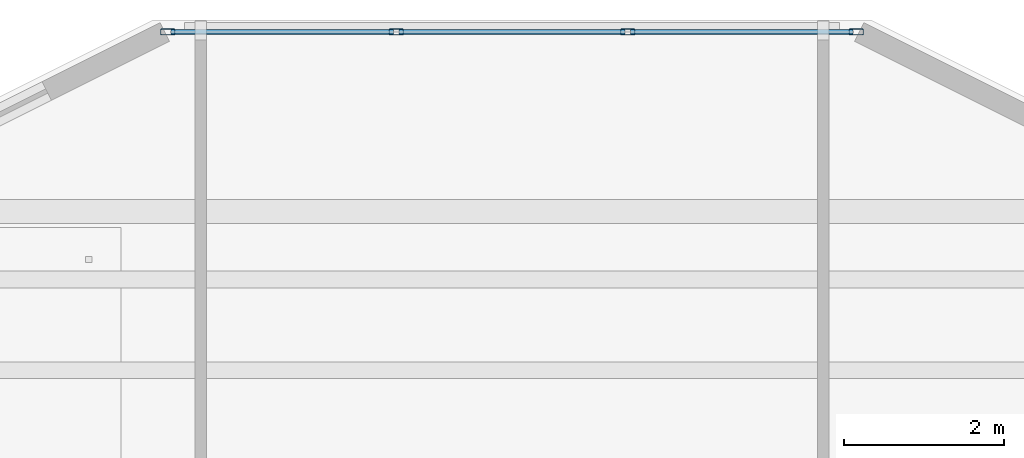
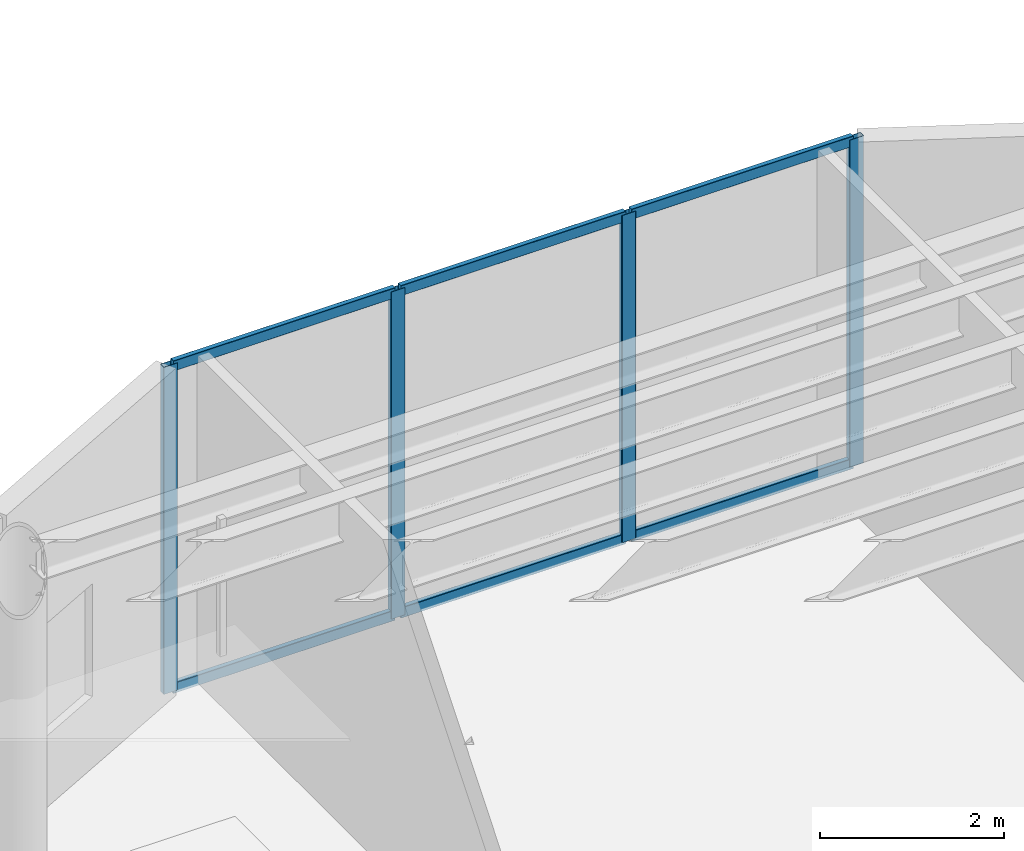
# One storey, part 8 of 23: 10 members, 1 element without a shape of its own.
"""IFC4 building model written with IfcOpenShell, lengths in metres."""

import ifcopenshell
import ifcopenshell.guid

model = None  # the IFC model being written
_history = None  # IfcOwnerHistory: only IFC2X3 demands one
_inside = {}  # id of a spatial element -> (the spatial element, [elements in it])
_under = {}  # id of a project, library or spatial element -> (it, [spatial elements below it])
_declared = {}  # id of a project -> (the project, [libraries it declares])
_typed = {}  # id of a type object -> (the type object, [elements of that type])
_made_of = {}  # id of a material, layer set ... -> (it, [elements and type objects made of it])


def new_model(schema):
    """Start an empty IFC model of exactly this schema.

    Asked for "IFC4X3", IfcOpenShell would pick the latest addendum, in which some entities
    have other attributes; the version numbers below select the first issue.
    IFC2X3 requires an IfcOwnerHistory on every rooted entity: one is made here for all.
    """
    global model, _history
    if schema == "IFC4X3":
        model = ifcopenshell.file(schema_version=(4, 3, 0, 0))
    else:
        model = ifcopenshell.file(schema=schema)
    _inside.clear()
    _under.clear()
    _declared.clear()
    _typed.clear()
    _made_of.clear()
    _history = None
    if model.schema == "IFC2X3":
        org = make("IfcOrganization", Name="unknown")
        user = make(
            "IfcPersonAndOrganization",
            ThePerson=make("IfcPerson", FamilyName="unknown"),
            TheOrganization=org,
        )
        app = make(
            "IfcApplication",
            ApplicationDeveloper=org,
            Version="unknown",
            ApplicationFullName="unknown",
            ApplicationIdentifier="unknown",
        )
        _history = make(
            "IfcOwnerHistory",
            OwningUser=user,
            OwningApplication=app,
            ChangeAction="ADDED",
            CreationDate=0,
        )
    return model


def make(cls, **values):
    """One entity of the class cls with the attributes given. An attribute that is None is left unset."""
    return model.create_entity(
        cls, **{name: value for name, value in values.items() if value is not None}
    )


def rooted(cls, **values):
    """An entity with a GlobalId (a new one), such as an element, a storey or a relation."""
    return make(cls, GlobalId=ifcopenshell.guid.new(), OwnerHistory=_history, **values)


def si_unit(unit_type, name, prefix=None):
    """IfcSIUnit, for example si_unit("LENGTHUNIT", "METRE", prefix="MILLI")."""
    return make("IfcSIUnit", UnitType=unit_type, Prefix=prefix, Name=name)


def assignment(units):
    """IfcUnitAssignment: the units of a project."""
    return None if units is None else make("IfcUnitAssignment", Units=units)


def point(xyz):
    """IfcCartesianPoint."""
    return None if xyz is None else make("IfcCartesianPoint", Coordinates=xyz)


def direction(xyz):
    """IfcDirection."""
    return None if xyz is None else make("IfcDirection", DirectionRatios=xyz)


def frame(location, z_axis=None, x_axis=None):
    """IfcAxis2Placement3D, a coordinate frame: its origin and axes. An axis left out is left unset."""
    return make(
        "IfcAxis2Placement3D",
        Location=point(location),
        Axis=direction(z_axis),
        RefDirection=direction(x_axis),
    )


def frame_2d(location, x_axis=None):
    """IfcAxis2Placement2D, a coordinate frame in the plane: its origin and x axis."""
    return make(
        "IfcAxis2Placement2D", Location=point(location), RefDirection=direction(x_axis)
    )


def origin():
    """The frame at (0, 0, 0) with its axes left unset."""
    return frame((0.0, 0.0, 0.0))


def origin_2d():
    """The frame at (0, 0) in the plane with its x axis left unset."""
    return frame_2d((0.0, 0.0))


def place(relative_to, where):
    """IfcLocalPlacement: puts the frame where relative to a parent placement (None: the world)."""
    return make(
        "IfcLocalPlacement", PlacementRelTo=relative_to, RelativePlacement=where
    )


def context(
    kind, dimensions, precision=None, world=None, true_north=None, identifier=None
):
    """IfcGeometricRepresentationContext, for example the 3D "Model" context."""
    return make(
        "IfcGeometricRepresentationContext",
        ContextIdentifier=identifier,
        ContextType=kind,
        CoordinateSpaceDimension=dimensions,
        Precision=precision,
        WorldCoordinateSystem=world,
        TrueNorth=true_north,
    )


def subcontext(parent, identifier, kind, view, scale=None):
    """IfcGeometricRepresentationSubContext, for example "Body" below "Model"."""
    return make(
        "IfcGeometricRepresentationSubContext",
        ContextIdentifier=identifier,
        ContextType=kind,
        ParentContext=parent,
        TargetScale=scale,
        TargetView=view,
    )


def project(units=None, contexts=None):
    """IfcProject with its units and contexts."""
    return rooted(
        "IfcProject",
        Name="project",
        RepresentationContexts=contexts,
        UnitsInContext=assignment(units),
    )


def spatial(cls, under=None, at=None, **own):
    """A site, building, storey or space (cls), placed at a placement, below another one or the project."""
    s = rooted(cls, ObjectPlacement=at, **own)
    if under is not None:
        _under.setdefault(under.id(), (under, []))[1].append(s)
    return s


def profile(cls, at=None, kind="AREA", **sizes):
    """A parametric profile (cls). Its sizes go by their IFC names, for example OverallWidth=200.0."""
    return make(cls, ProfileType=kind, Position=at, **sizes)


def hollow_rectangle(**sizes):
    """IfcRectangleHollowProfileDef."""
    return profile("IfcRectangleHollowProfileDef", **sizes)


def extrude(swept, where, along, depth):
    """IfcExtrudedAreaSolid: the profile swept, set in the frame where, extruded along a direction by depth."""
    return make(
        "IfcExtrudedAreaSolid",
        SweptArea=swept,
        Position=where,
        ExtrudedDirection=direction(along),
        Depth=depth,
    )


def shape(context_of_items, identifier, shape_type, items):
    """IfcShapeRepresentation: the items that make up one representation, for example the "Body"."""
    return make(
        "IfcShapeRepresentation",
        ContextOfItems=context_of_items,
        RepresentationIdentifier=identifier,
        RepresentationType=shape_type,
        Items=items,
    )


def material(Name=None, Category=None):
    """IfcMaterial."""
    return make("IfcMaterial", Name=Name, Category=Category)


def layer(
    of_material, thickness, ventilated=None, Name=None, Category=None, Priority=None
):
    """IfcMaterialLayer: one layer of a wall or slab, of a material (None: an air gap)."""
    return make(
        "IfcMaterialLayer",
        Material=of_material,
        LayerThickness=thickness,
        IsVentilated=ventilated,
        Name=Name,
        Category=Category,
        Priority=Priority,
    )


def layer_set(layers, Name=None):
    """IfcMaterialLayerSet."""
    return make("IfcMaterialLayerSet", MaterialLayers=layers, LayerSetName=Name)


def material_profile(
    of_material, cross_section, Name=None, Category=None, Priority=None
):
    """IfcMaterialProfile: a cross section and its material."""
    return make(
        "IfcMaterialProfile",
        Name=Name,
        Material=of_material,
        Profile=cross_section,
        Priority=Priority,
        Category=Category,
    )


def profile_set(profiles, Name=None, composite=None):
    """IfcMaterialProfileSet."""
    return make(
        "IfcMaterialProfileSet",
        Name=Name,
        MaterialProfiles=profiles,
        CompositeProfile=composite,
    )


def made_of(thing, what):
    """Note that an element or type object is made of a material, layer set ...; save() writes the relation."""
    if what is not None:
        _made_of.setdefault(what.id(), (what, []))[1].append(thing)
    return thing


def type_object(cls, material=None, **own):
    """A type object (cls), such as IfcWallType, which elements share."""
    return made_of(rooted(cls, **own), material)


def element(
    cls,
    number,
    at=None,
    inside=None,
    cuts=None,
    type_object=None,
    material=None,
    context=None,
    identifier="Body",
    shape_type=None,
    held_by="IfcProductDefinitionShape",
    body=None,
    shapes=None,
    **own,
):
    """One element of the class cls, such as IfcWall. Its Tag is "e" and its number.

    at: its placement. inside: the storey or other place that contains it. cuts: it is an
    opening in that element (IfcRelVoidsElement). A single representation is given by context,
    identifier, shape_type and body (its items); several are given by shapes. held_by: the class
    of the entity that holds the representations. save() writes the other relations.
    """
    e = rooted(cls, Tag="e%d" % number, ObjectPlacement=at, **own)
    if body is not None:
        shapes = [shape(context, identifier, shape_type, body)]
    if shapes is not None:
        e.Representation = make(held_by, Representations=shapes)
    if inside is not None:
        _inside.setdefault(inside.id(), (inside, []))[1].append(e)
    if cuts is not None:
        rooted(
            "IfcRelVoidsElement", RelatingBuildingElement=cuts, RelatedOpeningElement=e
        )
    if type_object is not None:
        _typed.setdefault(type_object.id(), (type_object, []))[1].append(e)
    return made_of(e, material)


def aggregate(whole, parts):
    """IfcRelAggregates: a whole, such as a stair, and the parts it consists of."""
    return rooted("IfcRelAggregates", RelatingObject=whole, RelatedObjects=parts)


def save(model, path):
    """Write the relations noted so far, then the file.

    IfcRelAggregates (storeys below a building ...), IfcRelContainedInSpatialStructure (elements
    in a storey), IfcRelDefinesByType, IfcRelAssociatesMaterial and IfcRelDeclares: one each for
    every whole, place, type object, material and project.
    """
    for whole, parts in _under.values():
        aggregate(whole, parts)
    for where, things in _inside.values():
        rooted(
            "IfcRelContainedInSpatialStructure",
            RelatedElements=things,
            RelatingStructure=where,
        )
    for kind, things in _typed.values():
        rooted("IfcRelDefinesByType", RelatedObjects=things, RelatingType=kind)
    for what, things in _made_of.values():
        rooted("IfcRelAssociatesMaterial", RelatedObjects=things, RelatingMaterial=what)
    for by, libraries in _declared.values():
        rooted("IfcRelDeclares", RelatingContext=by, RelatedDefinitions=libraries)
    model.write(path)


model = new_model("IFC4")

# Units and contexts
model_context = context("Model", 3, precision=1e-05, world=origin(), true_north=direction((0.0, 1.0)))
body_context = subcontext(model_context, "Body", "Model", "MODEL_VIEW")
ifc_project = project(units=[si_unit("LENGTHUNIT", "METRE"), si_unit("AREAUNIT", "SQUARE_METRE"), si_unit("VOLUMEUNIT", "CUBIC_METRE"), si_unit("PLANEANGLEUNIT", "RADIAN"), si_unit("MASSUNIT", "GRAM", prefix="KILO")], contexts=[model_context])

# Site, building, storey
site_placement = place(None, origin())
site = spatial("IfcSite", under=ifc_project, at=site_placement, CompositionType="ELEMENT")
building_placement = place(site_placement, origin())
building = spatial("IfcBuilding", under=site, at=building_placement, Name="Tarnavaz Court Tower", CompositionType="ELEMENT")
storey_placement = place(building_placement, frame((0.0, 0.0, 227.10009765625)))
storey = spatial("IfcBuildingStorey", under=building, at=storey_placement, Name="L62", CompositionType="ELEMENT", Elevation=227.10009765625)

# Curtain wall, members
ifc_material_1 = material(Name="Anodised Aluminium 6063-T6 and Solar Low-E Glazing", Category="aluminium")
ifc_layer = layer(ifc_material_1, 0.159912109375)
ifc_layer_set = layer_set([ifc_layer], Name="Anodised Aluminium 6063-T6 and Solar Low-E Glazing")
curtain_wall_type = type_object("IfcCurtainWallType", Name="CW-SYS-03", PredefinedType="NOTDEFINED", material=ifc_layer_set)
curtain_wall_placement = place(storey_placement, origin())
curtain_wall = element("IfcCurtainWall", 1, at=curtain_wall_placement, inside=storey, type_object=curtain_wall_type, Name="L62 Iwan Prow Curtain Wall 7", PredefinedType="NOTDEFINED")
ifc_material_2 = material(Name="Anodised Aluminium 6063-T6", Category="aluminium")
ifc_material_profile_1 = material_profile(ifc_material_2, hollow_rectangle(XDim=0.074951171875, YDim=0.179931640625, WallThickness=0.0048828125, InnerFilletRadius=0.0048828125, OuterFilletRadius=0.010009765625, at=origin_2d()), Name="ALU RHS 180X75X5")
ifc_profile_set_1 = profile_set([ifc_material_profile_1], Name="Anodised Aluminium 6063-T6")
member_type_1 = type_object("IfcMemberType", Name="CW-MUL-180", PredefinedType="MULLION", material=ifc_profile_set_1)
member_1_placement = place(storey_placement, frame((-4.3125, 22.35009765625, 0.0), z_axis=(0.0, 0.0, 1.0), x_axis=(0.0, 1.0, 0.0)))
member_1 = element("IfcMember", 2, at=member_1_placement, type_object=member_type_1, Name="CW mullion 1", PredefinedType="MULLION", context=body_context, shape_type="SweptSolid", body=[
    extrude(hollow_rectangle(XDim=0.074951171875, YDim=0.179931640625, WallThickness=0.0048828125, InnerFilletRadius=0.0048828125, OuterFilletRadius=0.010009765625, at=origin_2d()), origin(), (0.0, 0.0, 1.0), 4.349853515625),
])
member_2_placement = place(storey_placement, frame((-1.449951171875, 22.35009765625, 0.0), z_axis=(0.0, 0.0, 1.0), x_axis=(0.0, 1.0, 0.0)))
member_2 = element("IfcMember", 3, at=member_2_placement, type_object=member_type_1, Name="CW mullion 2", PredefinedType="MULLION", context=body_context, shape_type="SweptSolid", body=[
    extrude(hollow_rectangle(XDim=0.074951171875, YDim=0.179931640625, WallThickness=0.0048828125, InnerFilletRadius=0.0048828125, OuterFilletRadius=0.010009765625, at=origin_2d()), origin(), (0.0, 0.0, 1.0), 4.349853515625),
])
member_3_placement = place(storey_placement, frame((1.449951171875, 22.35009765625, 0.0), z_axis=(0.0, 0.0, 1.0), x_axis=(0.0, 1.0, 0.0)))
member_3 = element("IfcMember", 4, at=member_3_placement, type_object=member_type_1, Name="CW mullion 3", PredefinedType="MULLION", context=body_context, shape_type="SweptSolid", body=[
    extrude(hollow_rectangle(XDim=0.074951171875, YDim=0.179931640625, WallThickness=0.0048828125, InnerFilletRadius=0.0048828125, OuterFilletRadius=0.010009765625, at=origin_2d()), origin(), (0.0, 0.0, 1.0), 4.349853515625),
])
member_4_placement = place(storey_placement, frame((4.3125, 22.35009765625, 0.0), z_axis=(0.0, 0.0, 1.0), x_axis=(0.0, 1.0, 0.0)))
member_4 = element("IfcMember", 5, at=member_4_placement, type_object=member_type_1, Name="CW mullion 4", PredefinedType="MULLION", context=body_context, shape_type="SweptSolid", body=[
    extrude(hollow_rectangle(XDim=0.074951171875, YDim=0.179931640625, WallThickness=0.0048828125, InnerFilletRadius=0.0048828125, OuterFilletRadius=0.010009765625, at=origin_2d()), origin(), (0.0, 0.0, 1.0), 4.349853515625),
])
ifc_material_profile_2 = material_profile(ifc_material_2, hollow_rectangle(XDim=0.06494140625, YDim=0.139892578125, WallThickness=0.00390625, InnerFilletRadius=0.00390625, OuterFilletRadius=0.008056640625, at=origin_2d()), Name="ALU RHS 140X65X4")
ifc_profile_set_2 = profile_set([ifc_material_profile_2], Name="Anodised Aluminium 6063-T6")
member_type_2 = type_object("IfcMemberType", Name="CW-TRN-140", PredefinedType="USERDEFINED", material=ifc_profile_set_2)
member_5_placement = place(storey_placement, frame((-4.27490234375, 22.35009765625, 0.032470703125), z_axis=(1.0, 0.0, 0.0), x_axis=(0.0, 1.0, 0.0)))
member_5 = element("IfcMember", 6, at=member_5_placement, type_object=member_type_2, Name="CW transom 1.1", ObjectType="TRANSOM", PredefinedType="USERDEFINED", context=body_context, shape_type="SweptSolid", body=[
    extrude(hollow_rectangle(XDim=0.06494140625, YDim=0.139892578125, WallThickness=0.00390625, InnerFilletRadius=0.00390625, OuterFilletRadius=0.008056640625, at=origin_2d()), origin(), (0.0, 0.0, 1.0), 2.787353515625),
])
member_6_placement = place(storey_placement, frame((-4.27490234375, 22.35009765625, 4.3173828125), z_axis=(1.0, 0.0, 0.0), x_axis=(0.0, 1.0, 0.0)))
member_6 = element("IfcMember", 7, at=member_6_placement, type_object=member_type_2, Name="CW transom 1.2", ObjectType="TRANSOM", PredefinedType="USERDEFINED", context=body_context, shape_type="SweptSolid", body=[
    extrude(hollow_rectangle(XDim=0.06494140625, YDim=0.139892578125, WallThickness=0.00390625, InnerFilletRadius=0.00390625, OuterFilletRadius=0.008056640625, at=origin_2d()), origin(), (0.0, 0.0, 1.0), 2.787353515625),
])
member_7_placement = place(storey_placement, frame((-1.41259765625, 22.35009765625, 0.032470703125), z_axis=(1.0, 0.0, 0.0), x_axis=(0.0, 1.0, 0.0)))
member_7 = element("IfcMember", 8, at=member_7_placement, type_object=member_type_2, Name="CW transom 2.1", ObjectType="TRANSOM", PredefinedType="USERDEFINED", context=body_context, shape_type="SweptSolid", body=[
    extrude(hollow_rectangle(XDim=0.06494140625, YDim=0.139892578125, WallThickness=0.00390625, InnerFilletRadius=0.00390625, OuterFilletRadius=0.008056640625, at=origin_2d()), origin(), (0.0, 0.0, 1.0), 2.8251953125),
])
member_8_placement = place(storey_placement, frame((-1.41259765625, 22.35009765625, 4.3173828125), z_axis=(1.0, 0.0, 0.0), x_axis=(0.0, 1.0, 0.0)))
member_8 = element("IfcMember", 9, at=member_8_placement, type_object=member_type_2, Name="CW transom 2.2", ObjectType="TRANSOM", PredefinedType="USERDEFINED", context=body_context, shape_type="SweptSolid", body=[
    extrude(hollow_rectangle(XDim=0.06494140625, YDim=0.139892578125, WallThickness=0.00390625, InnerFilletRadius=0.00390625, OuterFilletRadius=0.008056640625, at=origin_2d()), origin(), (0.0, 0.0, 1.0), 2.8251953125),
])
member_9_placement = place(storey_placement, frame((1.487548828125, 22.35009765625, 0.032470703125), z_axis=(1.0, 0.0, 0.0), x_axis=(0.0, 1.0, 0.0)))
member_9 = element("IfcMember", 10, at=member_9_placement, type_object=member_type_2, Name="CW transom 3.1", ObjectType="TRANSOM", PredefinedType="USERDEFINED", context=body_context, shape_type="SweptSolid", body=[
    extrude(hollow_rectangle(XDim=0.06494140625, YDim=0.139892578125, WallThickness=0.00390625, InnerFilletRadius=0.00390625, OuterFilletRadius=0.008056640625, at=origin_2d()), origin(), (0.0, 0.0, 1.0), 2.787353515625),
])
member_10_placement = place(storey_placement, frame((1.487548828125, 22.35009765625, 4.3173828125), z_axis=(1.0, 0.0, 0.0), x_axis=(0.0, 1.0, 0.0)))
member_10 = element("IfcMember", 11, at=member_10_placement, type_object=member_type_2, Name="CW transom 3.2", ObjectType="TRANSOM", PredefinedType="USERDEFINED", context=body_context, shape_type="SweptSolid", body=[
    extrude(hollow_rectangle(XDim=0.06494140625, YDim=0.139892578125, WallThickness=0.00390625, InnerFilletRadius=0.00390625, OuterFilletRadius=0.008056640625, at=origin_2d()), origin(), (0.0, 0.0, 1.0), 2.787353515625),
])
aggregate(curtain_wall, [member_1, member_2, member_3, member_4, member_5, member_6, member_7, member_8, member_9, member_10])

save(model, "model.ifc")
